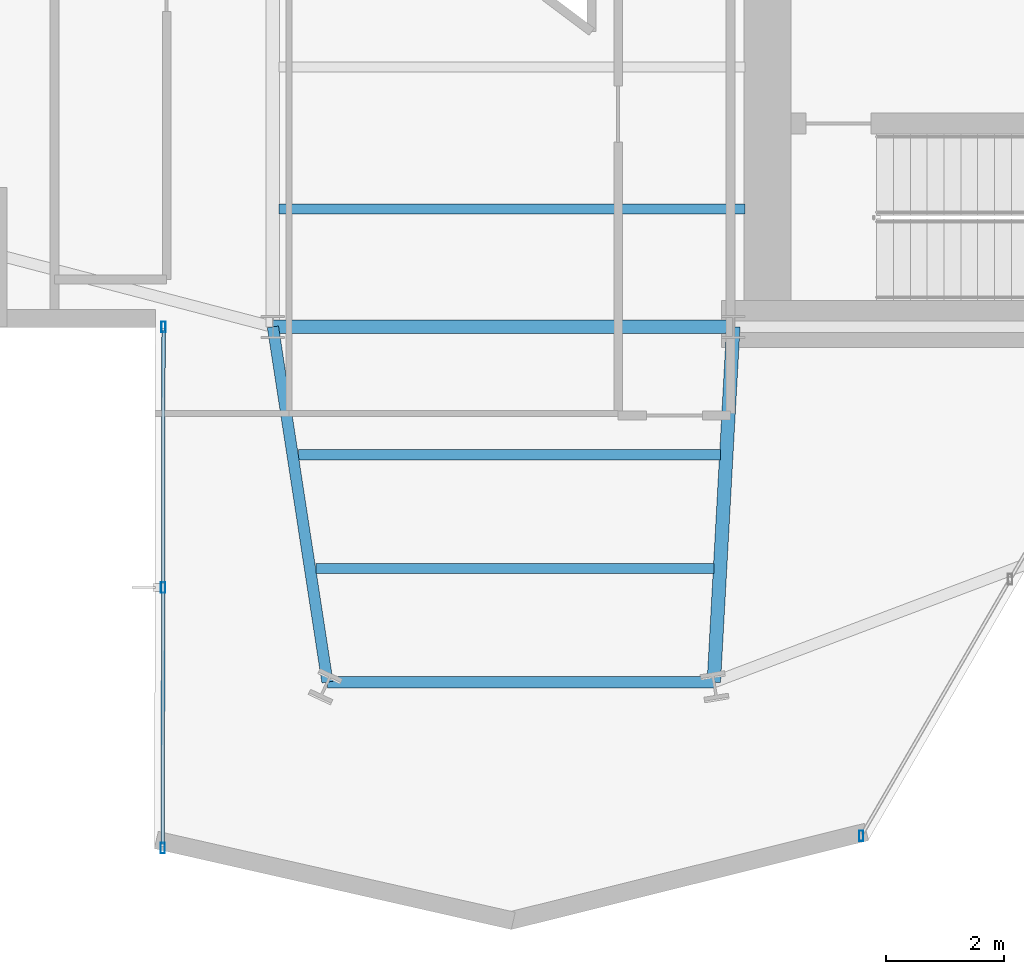
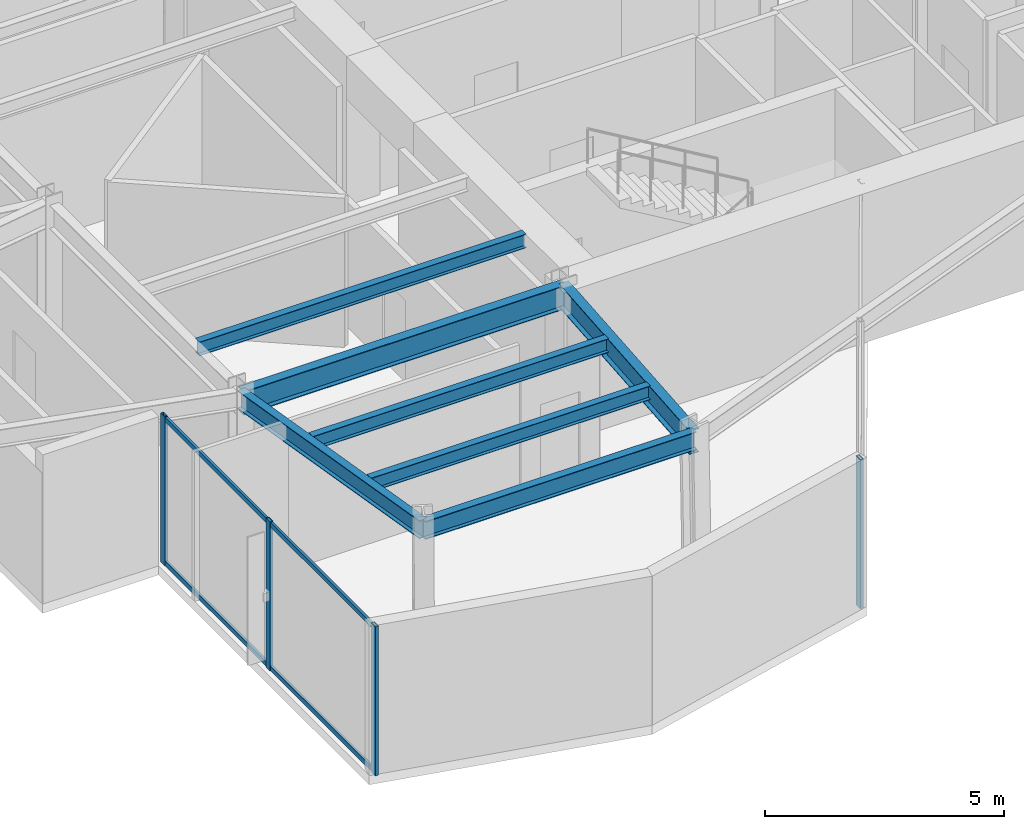
# One storey, part 6 of 25: 7 beams, 6 members, 2 elements without a shape of their own.
"""IFC4 building model written with IfcOpenShell, lengths in metres."""

from ifc_helpers import new_model, si_unit, direction, frame, origin, origin_2d, place, context, subcontext, project, spatial, hollow_rectangle, i_section, extrude, material, layer, layer_set, material_profile, profile_set, type_object, element, aggregate, save


model = new_model("IFC4")

# Units and contexts
model_context = context("Model", 3, precision=1e-05, world=origin(), true_north=direction((0.0, 1.0)))
body_context = subcontext(model_context, "Body", "Model", "MODEL_VIEW")
ifc_project = project(units=[si_unit("LENGTHUNIT", "METRE"), si_unit("AREAUNIT", "SQUARE_METRE"), si_unit("VOLUMEUNIT", "CUBIC_METRE"), si_unit("PLANEANGLEUNIT", "RADIAN"), si_unit("MASSUNIT", "GRAM", prefix="KILO")], contexts=[model_context])

# Site, building, storey
site_placement = place(None, origin())
site = spatial("IfcSite", under=ifc_project, at=site_placement, CompositionType="ELEMENT")
building_placement = place(site_placement, origin())
building = spatial("IfcBuilding", under=site, at=building_placement, Name="Veymaron Broadcast Tower", CompositionType="ELEMENT")
storey_placement = place(building_placement, frame((0.0, 0.0, 173.550048828125)))
storey = spatial("IfcBuildingStorey", under=building, at=storey_placement, Name="L40", CompositionType="ELEMENT", Elevation=173.550048828125)

# Beams
ifc_material_1 = material(Name="Structural steel ASTM A992 Gr 50", Category="steel")
ifc_material_profile_1 = material_profile(ifc_material_1, i_section(OverallWidth=0.22802734375, OverallDepth=0.60791015625, WebThickness=0.01123046875, FlangeThickness=0.017333984375, at=origin_2d()), Name="W610X113")
ifc_profile_set_1 = profile_set([ifc_material_profile_1], Name="Structural steel ASTM A992 Gr 50")
beam_type_1 = type_object("IfcBeamType", Name="BM-FG2", PredefinedType="BEAM", material=ifc_profile_set_1)
beam_1_placement = place(storey_placement, frame((31.199951171875, 16.0, 3.505859375), z_axis=(1.0, 0.0, 0.0), x_axis=(0.0, 1.0, 0.0)))
element("IfcBeam", 1, at=beam_1_placement, inside=storey, type_object=beam_type_1, Name="L40 primary structural floor girder", PredefinedType="BEAM", context=body_context, shape_type="SweptSolid", body=[
    extrude(i_section(OverallWidth=0.22802734375, OverallDepth=0.60791015625, WebThickness=0.01123046875, FlangeThickness=0.017333984375, at=origin_2d()), origin(), (0.0, 0.0, 1.0), 7.800048828125),
])
beam_2_placement = place(storey_placement, frame((39.0, 16.0, 3.505859375), z_axis=(-0.054747841955, -0.998500212219, 0.0), x_axis=(0.998500212219, -0.054747841955, 0.0)))
element("IfcBeam", 2, at=beam_2_placement, inside=storey, type_object=beam_type_1, Name="L40 primary structural floor girder", PredefinedType="BEAM", context=body_context, shape_type="SweptSolid", body=[
    extrude(i_section(OverallWidth=0.22802734375, OverallDepth=0.60791015625, WebThickness=0.01123046875, FlangeThickness=0.017333984375, at=origin_2d()), origin(), (0.0, 0.0, 1.0), 6.029052734375),
])
ifc_material_profile_2 = material_profile(ifc_material_1, i_section(OverallWidth=0.1708984375, OverallDepth=0.35498046875, WebThickness=0.007080078125, FlangeThickness=0.01171875, at=origin_2d()), Name="W360X51")
ifc_profile_set_2 = profile_set([ifc_material_profile_2], Name="Structural steel ASTM A992 Gr 50")
beam_type_2 = type_object("IfcBeamType", Name="BM-JS2", PredefinedType="JOIST", material=ifc_profile_set_2)
beam_3_placement = place(storey_placement, frame((31.632568359375, 13.832763671875, 3.632568359375), z_axis=(1.0, 0.0, 0.0), x_axis=(0.0, 1.0, 0.0)))
element("IfcBeam", 3, at=beam_3_placement, inside=storey, type_object=beam_type_2, Name="L40 Arm-C secondary joist 1", PredefinedType="JOIST", context=body_context, shape_type="SweptSolid", body=[
    extrude(i_section(OverallWidth=0.1708984375, OverallDepth=0.35498046875, WebThickness=0.007080078125, FlangeThickness=0.01171875, at=origin_2d()), origin(), (0.0, 0.0, 1.0), 7.148681640625),
])
beam_4_placement = place(storey_placement, frame((31.92822265625, 11.906494140625, 3.632568359375), z_axis=(1.0, 0.0, 0.0), x_axis=(0.0, 1.0, 0.0)))
element("IfcBeam", 4, at=beam_4_placement, inside=storey, type_object=beam_type_2, Name="L40 Arm-C secondary joist 2", PredefinedType="JOIST", context=body_context, shape_type="SweptSolid", body=[
    extrude(i_section(OverallWidth=0.1708984375, OverallDepth=0.35498046875, WebThickness=0.007080078125, FlangeThickness=0.01171875, at=origin_2d()), origin(), (0.0, 0.0, 1.0), 6.747314453125),
])
beam_5_placement = place(storey_placement, frame((31.300048828125, 18.0, 3.632568359375), z_axis=(1.0, 0.0, 0.0), x_axis=(0.0, 1.0, 0.0)))
element("IfcBeam", 5, at=beam_5_placement, inside=storey, type_object=beam_type_2, Name="L40 Hub secondary joist 1", PredefinedType="JOIST", context=body_context, shape_type="SweptSolid", body=[
    extrude(i_section(OverallWidth=0.1708984375, OverallDepth=0.35498046875, WebThickness=0.007080078125, FlangeThickness=0.01171875, at=origin_2d()), origin(), (0.0, 0.0, 1.0), 7.89990234375),
])
ifc_material_profile_3 = material_profile(ifc_material_1, i_section(OverallWidth=0.19091796875, OverallDepth=0.4599609375, WebThickness=0.010009765625, FlangeThickness=0.01611328125, at=origin_2d()), Name="W460X82")
ifc_profile_set_3 = profile_set([ifc_material_profile_3], Name="Structural steel ASTM A992 Gr 50")
beam_type_3 = type_object("IfcBeamType", Name="BM-SP1", PredefinedType="SPANDREL", material=ifc_profile_set_3)
beam_6_placement = place(storey_placement, frame((31.199951171875, 16.0, 3.579833984375), z_axis=(0.151722822528, -0.988423080024, 0.0), x_axis=(0.988423080024, 0.151722822528, 0.0)))
element("IfcBeam", 6, at=beam_6_placement, inside=storey, type_object=beam_type_3, Name="L40 primary structural floor girder", PredefinedType="SPANDREL", context=body_context, shape_type="SweptSolid", body=[
    extrude(i_section(OverallWidth=0.19091796875, OverallDepth=0.4599609375, WebThickness=0.010009765625, FlangeThickness=0.01611328125, at=origin_2d()), origin(), (0.0, 0.0, 1.0), 6.090576171875),
])
beam_7_placement = place(storey_placement, frame((32.1240234375, 9.97998046875, 3.579833984375), z_axis=(1.0, 0.0, 0.0), x_axis=(0.0, 1.0, 0.0)))
element("IfcBeam", 7, at=beam_7_placement, inside=storey, type_object=beam_type_3, Name="L40 primary structural floor girder", PredefinedType="SPANDREL", context=body_context, shape_type="SweptSolid", body=[
    extrude(i_section(OverallWidth=0.19091796875, OverallDepth=0.4599609375, WebThickness=0.010009765625, FlangeThickness=0.01611328125, at=origin_2d()), origin(), (0.0, 0.0, 1.0), 6.5458984375),
])

# Curtain wall, members
ifc_material_2 = material(Name="Anodised aluminium AA 6063-T6 and laminated low-E dark glass", Category="aluminium")
ifc_layer = layer(ifc_material_2, 0.179931640625)
ifc_layer_set = layer_set([ifc_layer], Name="Anodised aluminium AA 6063-T6 and laminated low-E dark glass")
curtain_wall_type = type_object("IfcCurtainWallType", Name="CW-SYS-03", PredefinedType="NOTDEFINED", material=ifc_layer_set)
curtain_wall_1_placement = place(storey_placement, origin())
curtain_wall_1 = element("IfcCurtainWall", 8, at=curtain_wall_1_placement, inside=storey, type_object=curtain_wall_type, Name="L40 dark-glass curtain wall CW-L40-E17-1", PredefinedType="NOTDEFINED")
ifc_material_3 = material(Name="Anodised aluminium AA 6063-T6", Category="aluminium")
ifc_material_profile_4 = material_profile(ifc_material_3, hollow_rectangle(XDim=0.074951171875, YDim=0.179931640625, WallThickness=0.0048828125, at=origin_2d()), Name="AL180X75X5")
ifc_profile_set_4 = profile_set([ifc_material_profile_4], Name="Anodised aluminium AA 6063-T6")
member_type_1 = type_object("IfcMemberType", Name="CW-MUL-02", PredefinedType="MULLION", material=ifc_profile_set_4)
member_1_placement = place(storey_placement, frame((29.3466796875, 15.999755859375, 0.0), z_axis=(0.0, 0.0, 1.0), x_axis=(1.0, 0.0, 0.0)))
member_1 = element("IfcMember", 9, at=member_1_placement, type_object=member_type_1, Name="CW-L40-E17-1 mullion 0", PredefinedType="MULLION", context=body_context, shape_type="SweptSolid", body=[
    extrude(hollow_rectangle(XDim=0.074951171875, YDim=0.179931640625, WallThickness=0.0048828125, at=origin_2d()), origin(), (0.0, 0.0, 1.0), 3.81005859375),
])
member_2_placement = place(storey_placement, frame((29.34033203125, 11.584228515625, 0.0), z_axis=(0.0, 0.0, 1.0), x_axis=(1.0, 0.0, 0.0)))
member_2 = element("IfcMember", 10, at=member_2_placement, type_object=member_type_1, Name="CW-L40-E17-1 mullion 1", PredefinedType="MULLION", context=body_context, shape_type="SweptSolid", body=[
    extrude(hollow_rectangle(XDim=0.074951171875, YDim=0.179931640625, WallThickness=0.0048828125, at=origin_2d()), origin(), (0.0, 0.0, 1.0), 3.81005859375),
])
member_3_placement = place(storey_placement, frame((29.333984375, 7.168701171875, 0.0), z_axis=(0.0, 0.0, 1.0), x_axis=(1.0, 0.0, 0.0)))
member_3 = element("IfcMember", 11, at=member_3_placement, type_object=member_type_1, Name="CW-L40-E17-1 mullion 2", PredefinedType="MULLION", context=body_context, shape_type="SweptSolid", body=[
    extrude(hollow_rectangle(XDim=0.074951171875, YDim=0.179931640625, WallThickness=0.0048828125, at=origin_2d()), origin(), (0.0, 0.0, 1.0), 3.81005859375),
])

# Curtain wall, member
curtain_wall_2_placement = place(storey_placement, origin())
curtain_wall_2 = element("IfcCurtainWall", 12, at=curtain_wall_2_placement, inside=storey, type_object=curtain_wall_type, Name="L40 dark-glass curtain wall CW-L40-E20-1", PredefinedType="NOTDEFINED")
member_4_placement = place(storey_placement, frame((41.1669921875, 7.376220703125, 0.0), z_axis=(0.0, 0.0, 1.0), x_axis=(1.0, 0.0, 0.0)))
member_4 = element("IfcMember", 13, at=member_4_placement, type_object=member_type_1, Name="CW-L40-E20-1 mullion 0", PredefinedType="MULLION", context=body_context, shape_type="SweptSolid", body=[
    extrude(hollow_rectangle(XDim=0.074951171875, YDim=0.179931640625, WallThickness=0.0048828125, at=origin_2d()), origin(), (0.0, 0.0, 1.0), 3.81005859375),
])
aggregate(curtain_wall_2, [member_4])

# Member
ifc_material_profile_5 = material_profile(ifc_material_3, hollow_rectangle(XDim=0.06005859375, YDim=0.1201171875, WallThickness=0.00390625, at=origin_2d()), Name="AL120X60X4")
ifc_profile_set_5 = profile_set([ifc_material_profile_5], Name="Anodised aluminium AA 6063-T6")
member_type_2 = type_object("IfcMemberType", Name="CW-TRN-02", PredefinedType="USERDEFINED", material=ifc_profile_set_5)
member_5_placement = place(storey_placement, frame((29.3466796875, 15.94970703125, 0.070068359375), z_axis=(-0.001454055842, -0.99999894286, 0.0), x_axis=(0.99999894286, -0.001454055842, 0.0)))
member_5 = element("IfcMember", 14, at=member_5_placement, type_object=member_type_2, Name="CW-L40-E17-1 transom B", ObjectType="TRANSOM", PredefinedType="USERDEFINED", context=body_context, shape_type="SweptSolid", body=[
    extrude(hollow_rectangle(XDim=0.06005859375, YDim=0.1201171875, WallThickness=0.00390625, at=origin_2d()), origin(), (0.0, 0.0, 1.0), 8.73095703125),
])

member_6_placement = place(storey_placement, frame((29.3466796875, 15.94970703125, 3.739990234375), z_axis=(-0.001454055842, -0.99999894286, 0.0), x_axis=(0.99999894286, -0.001454055842, 0.0)))
member_6 = element("IfcMember", 15, at=member_6_placement, type_object=member_type_2, Name="CW-L40-E17-1 transom T", ObjectType="TRANSOM", PredefinedType="USERDEFINED", context=body_context, shape_type="SweptSolid", body=[
    extrude(hollow_rectangle(XDim=0.06005859375, YDim=0.1201171875, WallThickness=0.00390625, at=origin_2d()), origin(), (0.0, 0.0, 1.0), 8.73095703125),
])

aggregate(curtain_wall_1, [member_1, member_2, member_3, member_5, member_6])

save(model, "model.ifc")
